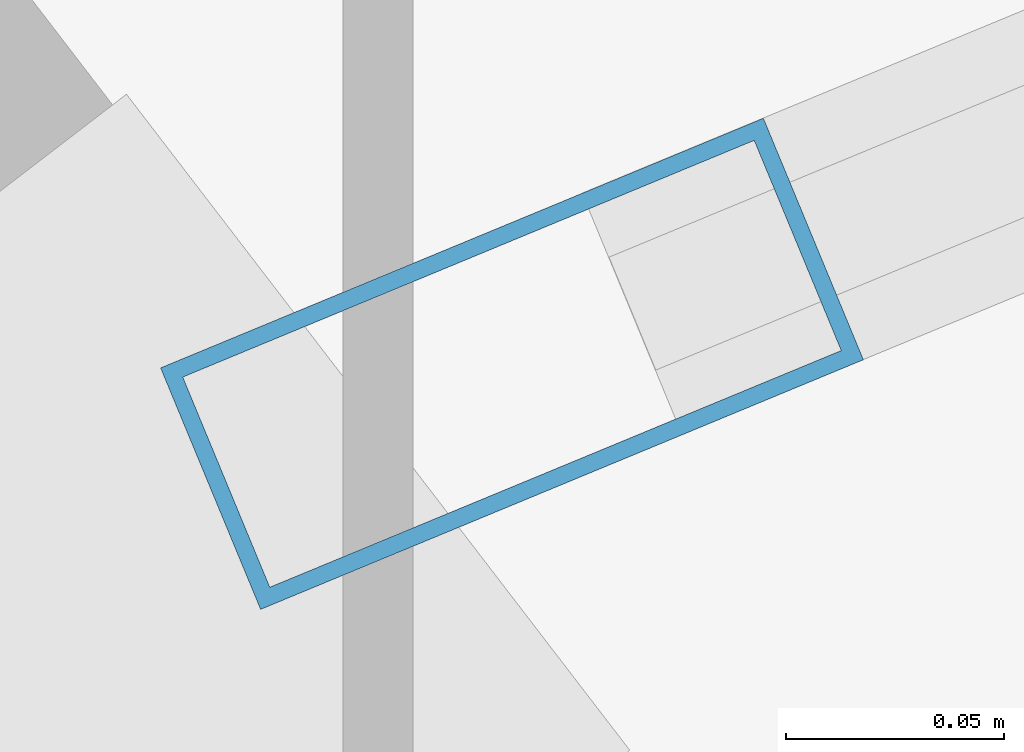
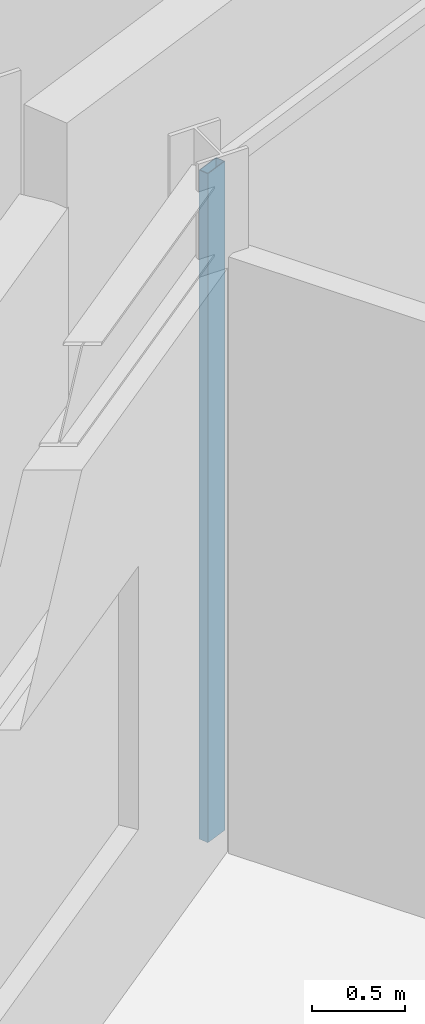
# One storey, part 66 of 157: 1 member, 1 element without a shape of its own.
"""IFC4 building model written with IfcOpenShell, lengths in metres."""

from ifc_helpers import new_model, si_unit, direction, frame, origin, origin_2d, place, context, subcontext, project, spatial, hollow_rectangle, extrude, material, material_profile, profile_set, type_object, element, aggregate, save


model = new_model("IFC4")

# Units and contexts
model_context = context("Model", 3, precision=1e-05, world=origin(), true_north=direction((0.0, 1.0)))
body_context = subcontext(model_context, "Body", "Model", "MODEL_VIEW")
ifc_project = project(units=[si_unit("LENGTHUNIT", "METRE"), si_unit("AREAUNIT", "SQUARE_METRE"), si_unit("VOLUMEUNIT", "CUBIC_METRE"), si_unit("PLANEANGLEUNIT", "RADIAN"), si_unit("MASSUNIT", "GRAM", prefix="KILO")], contexts=[model_context])

# Site, building, storey
site_placement = place(None, origin())
site = spatial("IfcSite", under=ifc_project, at=site_placement, CompositionType="ELEMENT")
building_placement = place(site_placement, origin())
building = spatial("IfcBuilding", under=site, at=building_placement, Name="Almandine Court Research Institute", CompositionType="ELEMENT")
storey_placement = place(building_placement, frame((0.0, 0.0, 5.25)))
storey = spatial("IfcBuildingStorey", under=building, at=storey_placement, Name="L01", CompositionType="ELEMENT", Elevation=5.25)

# Curtain wall, member
ifc_material_1 = material(Name="Unitised Curtain Wall Framing and Solar Glazing", Category="glass")
curtain_wall_type = type_object("IfcCurtainWallType", Name="CW-CWG-24", PredefinedType="USERDEFINED", material=ifc_material_1)
curtain_wall_placement = place(storey_placement, origin())
curtain_wall = element("IfcCurtainWall", 1, at=curtain_wall_placement, inside=storey, type_object=curtain_wall_type, Name="L01 Interaction Atrium Perimeter Curtain Wall 07", ObjectType="UNITISED GLAZING", PredefinedType="USERDEFINED")
ifc_material_2 = material(Name="Anodised Aluminium AW-6063-T6", Category="aluminium")
ifc_material_profile = material_profile(ifc_material_2, hollow_rectangle(XDim=0.06005859375, YDim=0.14990234375, WallThickness=0.00390625, at=origin_2d()), Name="ALU RHS 60x150x4")
ifc_profile_set = profile_set([ifc_material_profile], Name="Anodised Aluminium AW-6063-T6")
member_type = type_object("IfcMemberType", Name="CWMul-60x150", PredefinedType="MULLION", material=ifc_profile_set)
member_placement = place(storey_placement, frame((68.205810546875, 88.619384765625, 0.0), z_axis=(0.0, 0.0, 1.0), x_axis=(-0.382633558665, 0.923900189297, 0.0)))
member = element("IfcMember", 2, at=member_placement, type_object=member_type, Name="CWG-24 mullion 1", PredefinedType="MULLION", context=body_context, shape_type="SweptSolid", body=[
    extrude(hollow_rectangle(XDim=0.06005859375, YDim=0.14990234375, WallThickness=0.00390625, at=origin_2d()), origin(), (0.0, 0.0, 1.0), 4.3701171875),
])
aggregate(curtain_wall, [member])

save(model, "model.ifc")
